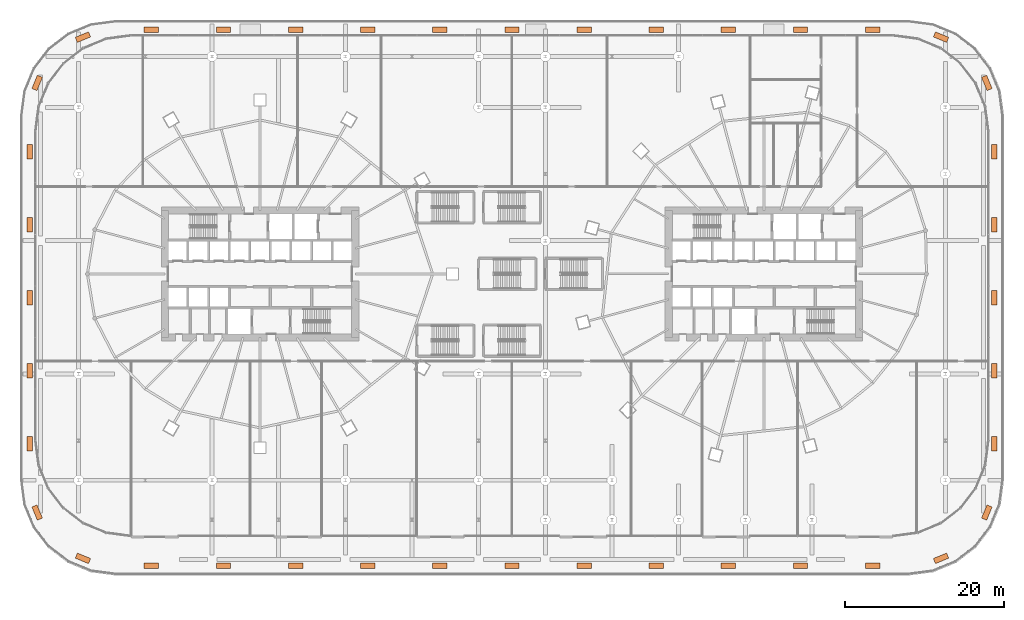
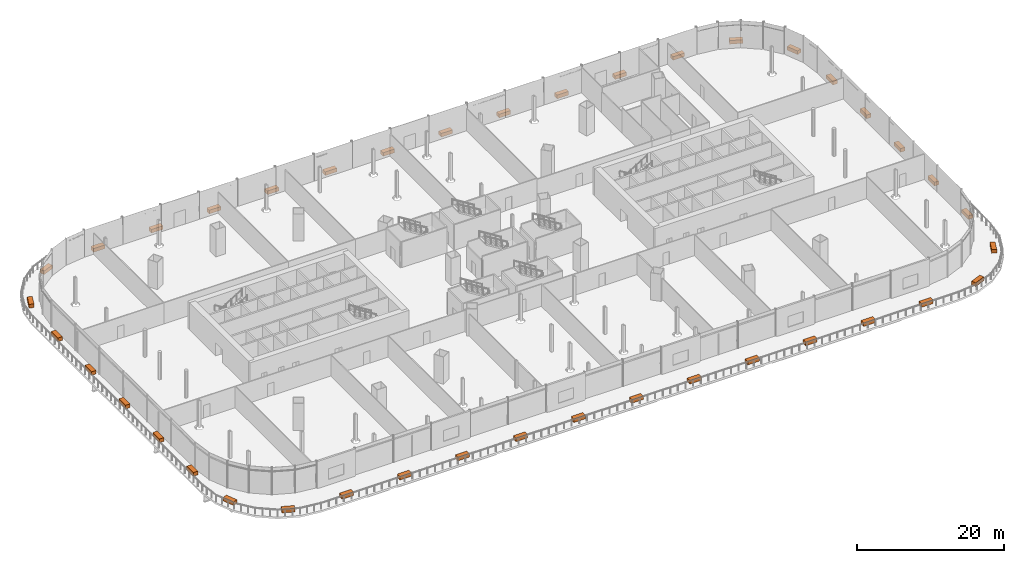
# One storey, part 56 of 56: 40 proxies.
"""IFC4 building model written with IfcOpenShell, lengths in metres."""

from ifc_helpers import new_model, si_unit, direction, frame, origin, origin_2d, place, context, subcontext, project, spatial, rectangle, extrude, material, type_object, element, save


model = new_model("IFC4")

# Units and contexts
model_context = context("Model", 3, precision=1e-05, world=origin(), true_north=direction((0.0, 1.0)))
body_context = subcontext(model_context, "Body", "Model", "MODEL_VIEW")
ifc_project = project(units=[si_unit("LENGTHUNIT", "METRE"), si_unit("AREAUNIT", "SQUARE_METRE"), si_unit("VOLUMEUNIT", "CUBIC_METRE"), si_unit("PLANEANGLEUNIT", "RADIAN"), si_unit("MASSUNIT", "GRAM", prefix="KILO")], contexts=[model_context])

# Site, building, storey
site_placement = place(None, origin())
site = spatial("IfcSite", under=ifc_project, at=site_placement, CompositionType="ELEMENT")
building_placement = place(site_placement, origin())
building = spatial("IfcBuilding", under=site, at=building_placement, Name="Rimbun Link Towers", CompositionType="ELEMENT")
storey_placement = place(building_placement, frame((0.0, 0.0, 16.5)))
storey = spatial("IfcBuildingStorey", under=building, at=storey_placement, Name="L03", CompositionType="ELEMENT", Elevation=16.5)

# Proxies
ifc_material = material(Name="Concrete C30/37", Category="concrete")
building_element_proxy_type = type_object("IfcBuildingElementProxyType", Name="PLANTER precast box 1800X700X600", PredefinedType="USERDEFINED", material=ifc_material)
for number, where, z_axis, x_axis, name in (
    (1, (54.068359375, -35.83935546875, 0.0), (0.0, 0.0, 1.0), (0.923881438965, 0.382678829747, 0.0), "PLANTER"),
    (2, (59.83935546875, -30.068359375, 0.0), (0.0, 0.0, 1.0), (0.382678829747, 0.923881438965, 0.0), "PLANTER"),
    (3, (60.75, -21.389404296875, 0.0), (0.0, 0.0, 1.0), (0.0, 1.0, 0.0), "PLANTER"),
    (4, (60.75, -12.19482421875, 0.0), (0.0, 0.0, 1.0), (0.0, 1.0, 0.0), "PLANTER"),
    (5, (60.75, -3.0, 0.0), (0.0, 0.0, 1.0), (0.0, 1.0, 0.0), "PLANTER"),
    (6, (60.75, 6.19482421875, 0.0), (0.0, 0.0, 1.0), (0.0, 1.0, 0.0), "PLANTER"),
    (7, (60.75, 15.389404296875, 0.0), (0.0, 0.0, 1.0), (0.0, 1.0, 0.0), "PLANTER"),
    (8, (59.83935546875, 24.068359375, 0.0), (0.0, 0.0, 1.0), (-0.382678829747, 0.923881438965, 0.0), "PLANTER"),
    (9, (54.068359375, 29.83935546875, 0.0), (0.0, 0.0, 1.0), (-0.923881438965, 0.382678829747, 0.0), "PLANTER"),
    (10, (45.442626953125, 30.75, 0.0), (0.0, 0.0, 1.0), (-1.0, 0.0, 0.0), "PLANTER"),
    (11, (36.35400390625, 30.75, 0.0), (0.0, 0.0, 1.0), (-1.0, 0.0, 0.0), "PLANTER"),
    (12, (27.265625, 30.75, 0.0), (0.0, 0.0, 1.0), (-1.0, 0.0, 0.0), "PLANTER"),
    (13, (18.177001953125, 30.75, 0.0), (0.0, 0.0, 1.0), (-1.0, 0.0, 0.0), "PLANTER"),
    (14, (9.088623046875, 30.75, 0.0), (0.0, 0.0, 1.0), (-1.0, 0.0, 0.0), "PLANTER"),
    (15, (0.0, 30.75, 0.0), (0.0, 0.0, 1.0), (-1.0, 0.0, 0.0), "PLANTER"),
    (16, (-9.088623046875, 30.75, 0.0), (0.0, 0.0, 1.0), (-1.0, 0.0, 0.0), "PLANTER"),
    (17, (-18.177001953125, 30.75, 0.0), (0.0, 0.0, 1.0), (-1.0, 0.0, 0.0), "PLANTER"),
    (18, (-27.265625, 30.75, 0.0), (0.0, 0.0, 1.0), (-1.0, 0.0, 0.0), "PLANTER"),
    (19, (-36.35400390625, 30.75, 0.0), (0.0, 0.0, 1.0), (-1.0, 0.0, 0.0), "PLANTER"),
    (20, (-45.442626953125, 30.75, 0.0), (0.0, 0.0, 1.0), (-1.0, 0.0, 0.0), "PLANTER"),
    (21, (-54.068359375, 29.83935546875, 0.0), (0.0, 0.0, 1.0), (-0.923881438965, -0.382678829747, 0.0), "PLANTER"),
    (22, (-59.83935546875, 24.068359375, 0.0), (0.0, 0.0, 1.0), (-0.382678829747, -0.923881438965, 0.0), "PLANTER"),
    (23, (-60.75, 15.389404296875, 0.0), (0.0, 0.0, 1.0), (0.0, -1.0, 0.0), "PLANTER"),
    (24, (-60.75, 6.19482421875, 0.0), (0.0, 0.0, 1.0), (0.0, -1.0, 0.0), "PLANTER"),
    (25, (-60.75, -3.0, 0.0), (0.0, 0.0, 1.0), (0.0, -1.0, 0.0), "PLANTER"),
    (26, (-60.75, -12.19482421875, 0.0), (0.0, 0.0, 1.0), (0.0, -1.0, 0.0), "PLANTER"),
    (27, (-60.75, -21.389404296875, 0.0), (0.0, 0.0, 1.0), (0.0, -1.0, 0.0), "PLANTER"),
    (28, (-59.83935546875, -30.068359375, 0.0), (0.0, 0.0, 1.0), (0.382678829747, -0.923881438965, 0.0), "PLANTER"),
    (29, (-54.068359375, -35.83935546875, 0.0), (0.0, 0.0, 1.0), (0.923881438965, -0.382678829747, 0.0), "PLANTER"),
    (30, (-45.442626953125, -36.75, 0.0), (0.0, 0.0, 1.0), (1.0, 0.0, 0.0), "PLANTER"),
    (31, (-36.35400390625, -36.75, 0.0), (0.0, 0.0, 1.0), (1.0, 0.0, 0.0), "PLANTER"),
    (32, (-27.265625, -36.75, 0.0), (0.0, 0.0, 1.0), (1.0, 0.0, 0.0), "PLANTER"),
    (33, (-18.177001953125, -36.75, 0.0), (0.0, 0.0, 1.0), (1.0, 0.0, 0.0), "PLANTER"),
    (34, (-9.088623046875, -36.75, 0.0), (0.0, 0.0, 1.0), (1.0, 0.0, 0.0), "PLANTER"),
    (35, (0.0, -36.75, 0.0), (0.0, 0.0, 1.0), (1.0, 0.0, 0.0), "PLANTER"),
    (36, (9.088623046875, -36.75, 0.0), (0.0, 0.0, 1.0), (1.0, 0.0, 0.0), "PLANTER"),
    (37, (18.177001953125, -36.75, 0.0), (0.0, 0.0, 1.0), (1.0, 0.0, 0.0), "PLANTER"),
    (38, (27.265625, -36.75, 0.0), (0.0, 0.0, 1.0), (1.0, 0.0, 0.0), "PLANTER"),
    (39, (36.35400390625, -36.75, 0.0), (0.0, 0.0, 1.0), (1.0, 0.0, 0.0), "PLANTER"),
    (40, (45.442626953125, -36.75, 0.0), (0.0, 0.0, 1.0), (1.0, 0.0, 0.0), "PLANTER"),
):
    element("IfcBuildingElementProxy", number, at=place(storey_placement, frame(where, z_axis=z_axis, x_axis=x_axis)), inside=storey, type_object=building_element_proxy_type, Name=name, ObjectType="PLANTER", PredefinedType="USERDEFINED", context=body_context, shape_type="SweptSolid", body=[
        extrude(rectangle(XDim=1.800048828125, YDim=0.699951171875, at=origin_2d()), origin(), (0.0, 0.0, 1.0), 0.60009765625),
    ])

save(model, "model.ifc")
